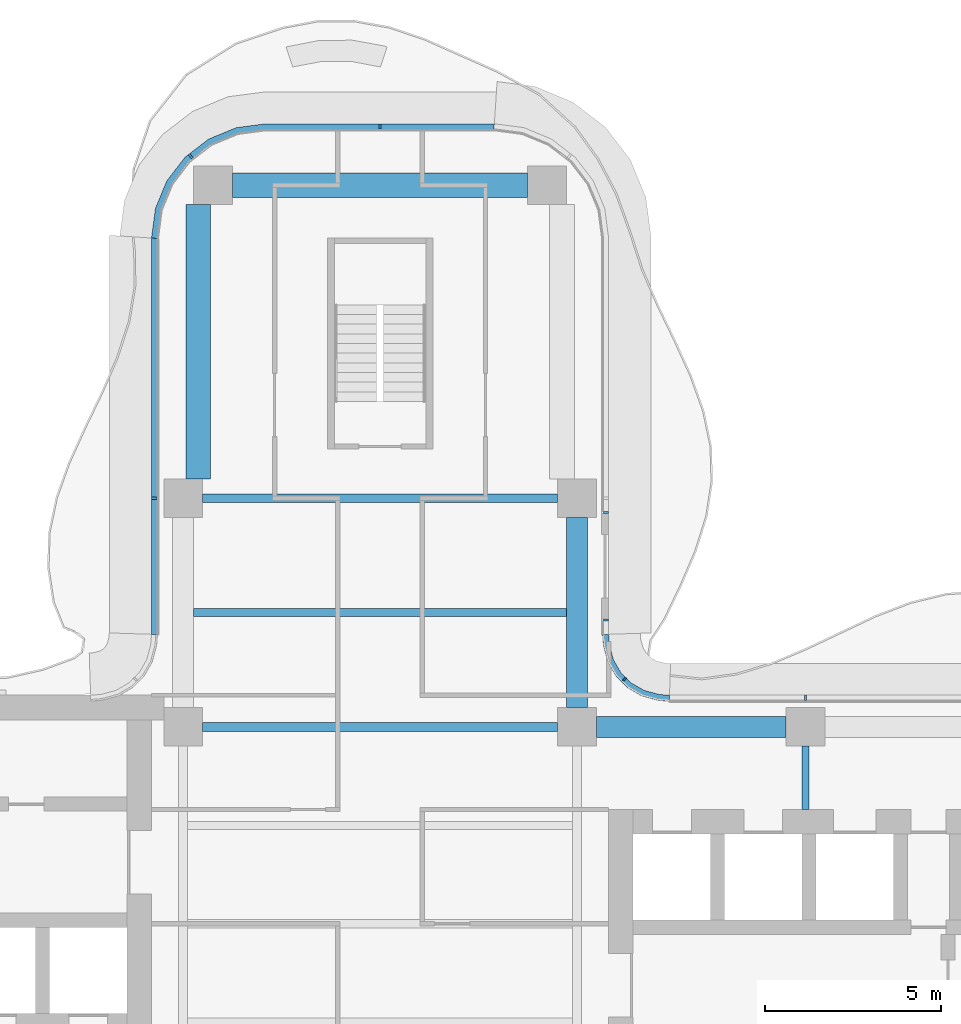
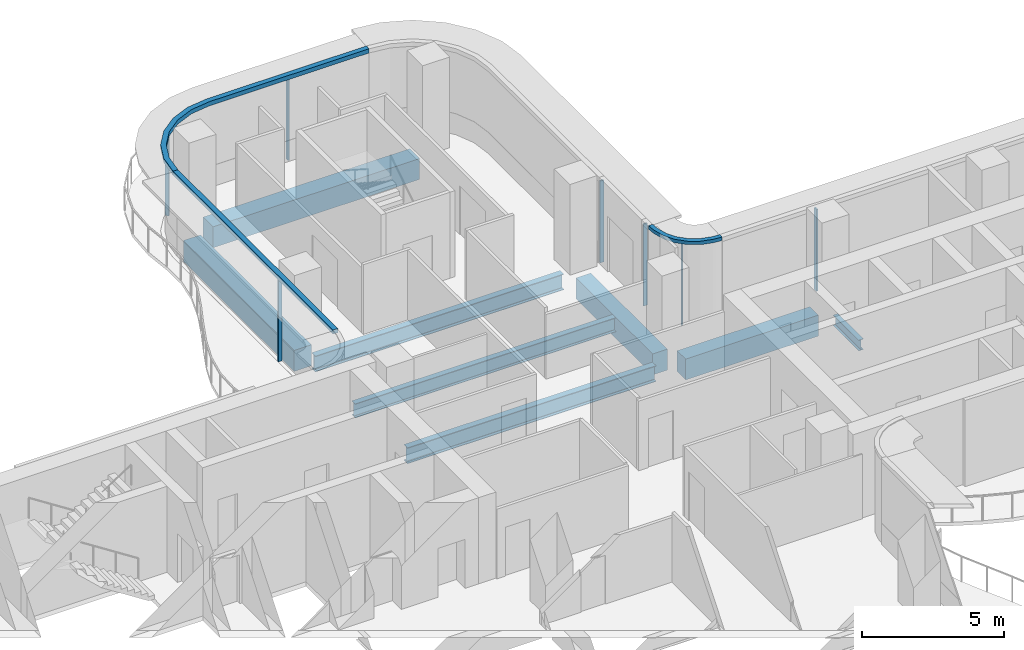
# One storey, part 8 of 18: 10 members, 8 beams, 6 elements without a shape of their own.
"""IFC4 building model written with IfcOpenShell, lengths in metres."""

from ifc_helpers import new_model, si_unit, direction, frame, origin, origin_2d, place, context, subcontext, project, spatial, polyline, rectangle, i_section, outline, extrude, source, transform, mapped, material, layer, layer_set, material_profile, profile_set, type_object, element, aggregate, save


model = new_model("IFC4")

# Units and contexts
model_context = context("Model", 3, precision=1e-05, world=origin(), true_north=direction((0.0, 1.0)))
body_context = subcontext(model_context, "Body", "Model", "MODEL_VIEW")
ifc_project = project(units=[si_unit("LENGTHUNIT", "METRE"), si_unit("AREAUNIT", "SQUARE_METRE"), si_unit("VOLUMEUNIT", "CUBIC_METRE"), si_unit("PLANEANGLEUNIT", "RADIAN"), si_unit("MASSUNIT", "GRAM", prefix="KILO")], contexts=[model_context])

# Site, building, storey
site_placement = place(None, origin())
site = spatial("IfcSite", under=ifc_project, at=site_placement, CompositionType="ELEMENT")
building_placement = place(site_placement, origin())
building = spatial("IfcBuilding", under=site, at=building_placement, Name="Trellis Farm Tower", CompositionType="ELEMENT")
storey_placement = place(building_placement, frame((0.0, 0.0, 224.60009765625)))
storey = spatial("IfcBuildingStorey", under=building, at=storey_placement, Name="L49", CompositionType="ELEMENT", Elevation=224.60009765625)

# Beams
ifc_material_1 = material(Name="Steel S355", Category="steel")
ifc_material_profile_1 = material_profile(ifc_material_1, i_section(OverallWidth=0.22900390625, OverallDepth=0.6123046875, WebThickness=0.011962890625, FlangeThickness=0.01953125, FilletRadius=0.0126953125, at=origin_2d()), Name="UB 610x229x125")
ifc_profile_set_1 = profile_set([ifc_material_profile_1], Name="Steel S355")
beam_type_1 = type_object("IfcBeamType", Name="UB 610x229x125 joist", PredefinedType="JOIST", material=ifc_profile_set_1)
shared_shape_1 = source(origin(), body_context, "Body", "SweptSolid", [
    extrude(i_section(OverallWidth=0.22900390625, OverallDepth=0.6123046875, WebThickness=0.011962890625, FlangeThickness=0.01953125, FilletRadius=0.0126953125, at=origin_2d()), origin(), (0.0, 0.0, 1.0), 10.60009765625),
])
beam_1_placement = place(storey_placement, frame((-5.300048828125, 8.85009765625, -0.506103515625), z_axis=(1.0, 0.0, 0.0), x_axis=(0.0, 1.0, 0.0)))
element("IfcBeam", 1, at=beam_1_placement, inside=storey, type_object=beam_type_1, Name="Floor beam", PredefinedType="JOIST", context=body_context, shape_type="MappedRepresentation", body=[
    mapped(shared_shape_1, transform((0.0, 0.0, 0.0))),
])
ifc_material_profile_2 = material_profile(ifc_material_1, i_section(OverallWidth=0.253662109375, OverallDepth=0.68359375, WebThickness=0.012451171875, FlangeThickness=0.021728515625, FilletRadius=0.01513671875, at=origin_2d()), Name="UB 686x254x140")
ifc_profile_set_2 = profile_set([ifc_material_profile_2], Name="Steel S355")
beam_type_2 = type_object("IfcBeamType", Name="UB 686x254x140", PredefinedType="BEAM", material=ifc_profile_set_2)
shared_shape_2 = source(origin(), body_context, "Body", "SweptSolid", [
    extrude(i_section(OverallWidth=0.253662109375, OverallDepth=0.68359375, WebThickness=0.012451171875, FlangeThickness=0.021728515625, FilletRadius=0.01513671875, at=origin_2d()), origin(), (0.0, 0.0, 1.0), 10.10009765625),
])
for number, where, z_axis, x_axis, name in (
    (2, (-5.050048828125, 5.60009765625, -0.541748046875), (1.0, 0.0, 0.0), (0.0, 1.0, 0.0), "Girder"),
    (3, (-5.050048828125, 12.10009765625, -0.541748046875), (1.0, 0.0, 0.0), (0.0, 1.0, 0.0), "Girder"),
):
    element("IfcBeam", number, at=place(storey_placement, frame(where, z_axis=z_axis, x_axis=x_axis)), inside=storey, type_object=beam_type_2, Name=name, PredefinedType="BEAM", context=body_context, shape_type="MappedRepresentation", body=[
        mapped(shared_shape_2, transform((0.0, 0.0, 0.0))),
    ])
ifc_material_profile_3 = material_profile(ifc_material_1, i_section(OverallWidth=0.1904296875, OverallDepth=0.45703125, WebThickness=0.009033203125, FlangeThickness=0.014404296875, FilletRadius=0.01025390625, at=origin_2d()), Name="UB 457x191x74")
ifc_profile_set_3 = profile_set([ifc_material_profile_3], Name="Steel S355")
beam_type_3 = type_object("IfcBeamType", Name="UB 457x191x74", PredefinedType="BEAM", material=ifc_profile_set_3)
shared_shape_3 = source(origin(), body_context, "Body", "SweptSolid", [
    extrude(i_section(OverallWidth=0.1904296875, OverallDepth=0.45703125, WebThickness=0.009033203125, FlangeThickness=0.014404296875, FilletRadius=0.01025390625, at=origin_2d()), origin(), (0.0, 0.0, 1.0), 1.800048828125),
])
beam_2_placement = place(storey_placement, frame((12.10009765625, 3.25, -0.4287109375), z_axis=(0.0, 1.0, 0.0), x_axis=(-1.0, 0.0, 0.0)))
element("IfcBeam", 4, at=beam_2_placement, inside=storey, type_object=beam_type_3, Name="Girder", PredefinedType="BEAM", context=body_context, shape_type="MappedRepresentation", body=[
    mapped(shared_shape_3, transform((0.0, 0.0, 0.0))),
])
ifc_material_2 = material(Name="Concrete C60/75", Category="concrete")
ifc_material_profile_4 = material_profile(ifc_material_2, rectangle(XDim=0.60009765625, YDim=0.89990234375, at=origin_2d()), Name="RC spandrel beam 600x900 C60/75")
ifc_profile_set_4 = profile_set([ifc_material_profile_4], Name="Concrete C60/75")
beam_type_4 = type_object("IfcBeamType", Name="RC spandrel beam 600x900 C60/75", PredefinedType="SPANDREL", material=ifc_profile_set_4)
shared_shape_4 = source(origin(), body_context, "Body", "SweptSolid", [
    extrude(rectangle(XDim=0.60009765625, YDim=0.89990234375, at=origin_2d()), origin(), (0.0, 0.0, 1.0), 5.400146484375),
])
for number, where, z_axis, x_axis, name in (
    (5, (6.14990234375, 5.60009765625, -0.650146484375), (1.0, 0.0, 0.0), (0.0, 1.0, 0.0), "Girder"),
    (6, (5.60009765625, 6.14990234375, -0.650146484375), (0.0, 1.0, 0.0), (-1.0, 0.0, 0.0), "Girder"),
):
    element("IfcBeam", number, at=place(storey_placement, frame(where, z_axis=z_axis, x_axis=x_axis)), inside=storey, type_object=beam_type_4, Name=name, PredefinedType="SPANDREL", context=body_context, shape_type="MappedRepresentation", body=[
        mapped(shared_shape_4, transform((0.0, 0.0, 0.0))),
    ])
ifc_material_profile_5 = material_profile(ifc_material_2, rectangle(XDim=0.699951171875, YDim=0.89990234375, at=origin_2d()), Name="RC spandrel beam 700x900 C60/75")
ifc_profile_set_5 = profile_set([ifc_material_profile_5], Name="Concrete C60/75")
beam_type_5 = type_object("IfcBeamType", Name="RC spandrel beam 700x900 C60/75", PredefinedType="SPANDREL", material=ifc_profile_set_5)
shared_shape_5 = source(origin(), body_context, "Body", "SweptSolid", [
    extrude(rectangle(XDim=0.699951171875, YDim=0.89990234375, at=origin_2d()), origin(), (0.0, 0.0, 1.0), 8.39990234375),
])
beam_3_placement = place(storey_placement, frame((-4.199951171875, 21.0, -0.650146484375), z_axis=(1.0, 0.0, 0.0), x_axis=(0.0, 1.0, 0.0)))
element("IfcBeam", 7, at=beam_3_placement, inside=storey, type_object=beam_type_5, Name="Girder", PredefinedType="SPANDREL", context=body_context, shape_type="MappedRepresentation", body=[
    mapped(shared_shape_5, transform((0.0, 0.0, 0.0))),
])
shared_shape_6 = source(origin(), body_context, "Body", "SweptSolid", [
    extrude(rectangle(XDim=0.699951171875, YDim=0.89990234375, at=origin_2d()), origin(), (0.0, 0.0, 1.0), 7.800048828125),
])
beam_4_placement = place(storey_placement, frame((-5.175048828125, 12.64990234375, -0.650146484375), z_axis=(0.0, 1.0, 0.0), x_axis=(-1.0, 0.0, 0.0)))
element("IfcBeam", 8, at=beam_4_placement, inside=storey, type_object=beam_type_5, Name="Girder", PredefinedType="SPANDREL", context=body_context, shape_type="MappedRepresentation", body=[
    mapped(shared_shape_6, transform((0.0, 0.0, 0.0))),
])

# Curtain wall, member
ifc_material_3 = material(Name="Aluminium and glass curtain wall", Category="aluminium")
ifc_layer_1 = layer(ifc_material_3, 0.18994140625)
ifc_layer_set_1 = layer_set([ifc_layer_1], Name="RIBBON CURTAIN WALL CW1")
curtain_wall_type_1 = type_object("IfcCurtainWallType", Name="RIBBON CURTAIN WALL CW1", PredefinedType="NOTDEFINED", material=ifc_layer_set_1)
placement_1 = place(storey_placement, origin())
curtain_wall_1 = element("IfcCurtainWall", 9, at=placement_1, inside=storey, type_object=curtain_wall_type_1, Name="CW1 007", PredefinedType="NOTDEFINED")
ifc_material_4 = material(Name="Aluminium extrusion 6063-T6", Category="aluminium")
ifc_material_profile_6 = material_profile(ifc_material_4, rectangle(XDim=0.06005859375, YDim=0.14990234375, at=origin_2d()), Name="MULLION 60x150")
ifc_profile_set_6 = profile_set([ifc_material_profile_6], Name="Aluminium extrusion 6063-T6")
member_type_1 = type_object("IfcMemberType", Name="CW1 MULLION 60x150", PredefinedType="MULLION", material=ifc_profile_set_6)
shared_shape_7 = source(origin(), body_context, "Body", "SweptSolid", [
    extrude(rectangle(XDim=0.06005859375, YDim=0.14990234375, at=origin_2d()), origin(), (0.0, 0.0, 1.0), 3.52001953125),
])
member_1_placement = place(storey_placement, frame((12.10009765625, 6.425048828125, 0.0), z_axis=(0.0, 0.0, 1.0), x_axis=(-1.0, 0.0, 0.0)))
member_1 = element("IfcMember", 10, at=member_1_placement, type_object=member_type_1, Name="MU1 007-02", PredefinedType="MULLION", context=body_context, shape_type="MappedRepresentation", body=[
    mapped(shared_shape_7, transform((0.0, 0.0, 0.0))),
])
aggregate(curtain_wall_1, [member_1])

curtain_wall_2 = element("IfcCurtainWall", 11, at=placement_1, inside=storey, type_object=curtain_wall_type_1, Name="CW1 008", PredefinedType="NOTDEFINED")
member_2_placement = place(storey_placement, frame((6.425048828125, 8.6357421875, 0.0), z_axis=(0.0, 0.0, 1.0), x_axis=(0.0, 1.0, 0.0)))
member_2 = element("IfcMember", 12, at=member_2_placement, type_object=member_type_1, Name="MU1 008-01", PredefinedType="MULLION", context=body_context, shape_type="MappedRepresentation", body=[
    mapped(shared_shape_7, transform((0.0, 0.0, 0.0))),
])
aggregate(curtain_wall_2, [member_2])

curtain_wall_3 = element("IfcCurtainWall", 13, at=placement_1, inside=storey, type_object=curtain_wall_type_1, Name="CW1 009", PredefinedType="NOTDEFINED")
member_3_placement = place(storey_placement, frame((6.425048828125, 11.69580078125, 0.0), z_axis=(0.0, 0.0, 1.0), x_axis=(0.0, 1.0, 0.0)))
member_3 = element("IfcMember", 14, at=member_3_placement, type_object=member_type_1, Name="MU1 009-01", PredefinedType="MULLION", context=body_context, shape_type="MappedRepresentation", body=[
    mapped(shared_shape_7, transform((0.0, 0.0, 0.0))),
])
aggregate(curtain_wall_3, [member_3])

# Curtain wall, members
curtain_wall_4 = element("IfcCurtainWall", 15, at=placement_1, inside=storey, type_object=curtain_wall_type_1, Name="CW1 010", PredefinedType="NOTDEFINED")
member_4_placement = place(storey_placement, frame((0.0, 22.675048828125, 0.0), z_axis=(0.0, 0.0, 1.0), x_axis=(-1.0, 0.0, 0.0)))
member_4 = element("IfcMember", 16, at=member_4_placement, type_object=member_type_1, Name="MU1 010-01", PredefinedType="MULLION", context=body_context, shape_type="MappedRepresentation", body=[
    mapped(shared_shape_7, transform((0.0, 0.0, 0.0))),
])
member_5_placement = place(storey_placement, frame((-5.385498046875, 21.828369140625, 0.0), z_axis=(0.0, 0.0, 1.0), x_axis=(-0.793353340291, -0.608761429009, 0.0)))
member_5 = element("IfcMember", 17, at=member_5_placement, type_object=member_type_1, Name="MU1 010-02", PredefinedType="MULLION", context=body_context, shape_type="MappedRepresentation", body=[
    mapped(shared_shape_7, transform((0.0, 0.0, 0.0))),
])

# Curtain wall, member
curtain_wall_5 = element("IfcCurtainWall", 18, at=placement_1, inside=storey, type_object=curtain_wall_type_1, Name="CW1 011", PredefinedType="NOTDEFINED")
member_6_placement = place(storey_placement, frame((-6.425048828125, 12.10009765625, 0.0), z_axis=(0.0, 0.0, 1.0), x_axis=(0.0, -1.0, 0.0)))
member_6 = element("IfcMember", 19, at=member_6_placement, type_object=member_type_1, Name="MU1 011-01", PredefinedType="MULLION", context=body_context, shape_type="MappedRepresentation", body=[
    mapped(shared_shape_7, transform((0.0, 0.0, 0.0))),
])

# Curtain wall, members
ifc_layer_2 = layer(ifc_material_3, 0.166015625)
ifc_layer_set_2 = layer_set([ifc_layer_2], Name="WINTER GARDEN CURTAIN WALL CW3")
curtain_wall_type_2 = type_object("IfcCurtainWallType", Name="WINTER GARDEN CURTAIN WALL CW3", PredefinedType="NOTDEFINED", material=ifc_layer_set_2)
curtain_wall_6 = element("IfcCurtainWall", 20, at=placement_1, inside=storey, type_object=curtain_wall_type_2, Name="CW3 003", PredefinedType="NOTDEFINED")
ifc_material_profile_7 = material_profile(ifc_material_4, rectangle(XDim=0.050048828125, YDim=0.1201171875, at=origin_2d()), Name="MULLION 50x120")
ifc_profile_set_7 = profile_set([ifc_material_profile_7], Name="Aluminium extrusion 6063-T6")
member_type_2 = type_object("IfcMemberType", Name="CW3 MULLION 50x120", PredefinedType="MULLION", material=ifc_profile_set_7)
shared_shape_8 = source(origin(), body_context, "Body", "SweptSolid", [
    extrude(rectangle(XDim=0.050048828125, YDim=0.1201171875, at=origin_2d()), origin(), (0.0, 0.0, 1.0), 3.5498046875),
])
member_7_placement = place(storey_placement, frame((6.953125, 6.953125, 0.0), z_axis=(0.0, 0.0, 1.0), x_axis=(-0.707106781187, 0.707106781187, 0.0)))
member_7 = element("IfcMember", 21, at=member_7_placement, type_object=member_type_2, Name="MU3 003-01", PredefinedType="MULLION", context=body_context, shape_type="MappedRepresentation", body=[
    mapped(shared_shape_8, transform((0.0, 0.0, 0.0))),
])
ifc_layer_3 = layer(ifc_material_4, 0.169921875)
ifc_layer_set_3 = layer_set([ifc_layer_3], Name="Aluminium extrusion 6063-T6")
member_type_3 = type_object("IfcMemberType", Name="CW3 TRANSOM 170x150", PredefinedType="USERDEFINED", material=ifc_layer_set_3)
shared_shape_9 = source(origin(), body_context, "Body", "SweptSolid", [
    extrude(outline(polyline([(8.2314453125, 6.5), (8.01953125, 6.513916015625), (7.91552734375, 6.527587890625), (7.508544921875, 6.63671875), (7.144287109375, 6.846923828125), (6.846923828125, 7.144287109375), (6.63671875, 7.508544921875), (6.527587890625, 7.91552734375), (6.513916015625, 8.01953125), (6.5, 8.2314453125), (6.330078125, 8.225830078125), (6.3447265625, 8.0029296875), (6.360595703125, 7.88232421875), (6.478271484375, 7.44287109375), (6.7109375, 7.0400390625), (7.0400390625, 6.7109375), (7.44287109375, 6.478271484375), (7.88232421875, 6.360595703125), (8.0029296875, 6.3447265625), (8.225830078125, 6.330078125), (8.2314453125, 6.5)])), origin(), (0.0, 0.0, 1.0), 0.150146484375),
])
member_8_placement = place(storey_placement, frame((0.0, 0.0, 3.5498046875)))
member_8 = element("IfcMember", 22, at=member_8_placement, type_object=member_type_3, Name="TR3 003", ObjectType="TRANSOM", PredefinedType="USERDEFINED", context=body_context, shape_type="MappedRepresentation", body=[
    mapped(shared_shape_9, transform((0.0, 0.0, 0.0))),
])
aggregate(curtain_wall_6, [member_7, member_8])

# Member
ifc_layer_4 = layer(ifc_material_4, 0.199951171875)
ifc_layer_set_4 = layer_set([ifc_layer_4], Name="Aluminium extrusion 6063-T6")
member_type_4 = type_object("IfcMemberType", Name="CW1 TRANSOM 200x180", PredefinedType="USERDEFINED", material=ifc_layer_set_4)
shared_shape_10 = source(origin(), body_context, "Body", "SweptSolid", [
    extrude(outline(polyline([(3.25, 22.75), (-3.25, 22.75), (-4.091064453125, 22.63916015625), (-4.875, 22.314697265625), (-5.548095703125, 21.798095703125), (-6.064697265625, 21.125), (-6.38916015625, 20.341064453125), (-6.5, 19.5), (-6.300048828125, 19.48681640625), (-6.1943359375, 20.2890625), (-5.889892578125, 21.024169921875), (-5.405517578125, 21.655517578125), (-4.774169921875, 22.139892578125), (-4.0390625, 22.4443359375), (-3.23681640625, 22.550048828125), (3.23681640625, 22.550048828125), (3.25, 22.75)])), origin(), (0.0, 0.0, 1.0), 0.179931640625),
])
placement_2 = place(storey_placement, frame((0.0, 0.0, 3.52001953125)))
member_9 = element("IfcMember", 23, at=placement_2, type_object=member_type_4, Name="TR1 010", ObjectType="TRANSOM", PredefinedType="USERDEFINED", context=body_context, shape_type="MappedRepresentation", body=[
    mapped(shared_shape_10, transform((0.0, 0.0, 0.0))),
])

aggregate(curtain_wall_4, [member_4, member_5, member_9])

shared_shape_11 = source(origin(), body_context, "Body", "SweptSolid", [
    extrude(outline(polyline([(-6.5, 19.5), (-6.5, 8.2314453125), (-6.300048828125, 8.224853515625), (-6.300048828125, 19.48681640625), (-6.5, 19.5)])), origin(), (0.0, 0.0, 1.0), 0.179931640625),
])
member_10 = element("IfcMember", 24, at=placement_2, type_object=member_type_4, Name="TR1 011", ObjectType="TRANSOM", PredefinedType="USERDEFINED", context=body_context, shape_type="MappedRepresentation", body=[
    mapped(shared_shape_11, transform((0.0, 0.0, 0.0))),
])

aggregate(curtain_wall_5, [member_6, member_10])

save(model, "model.ifc")
